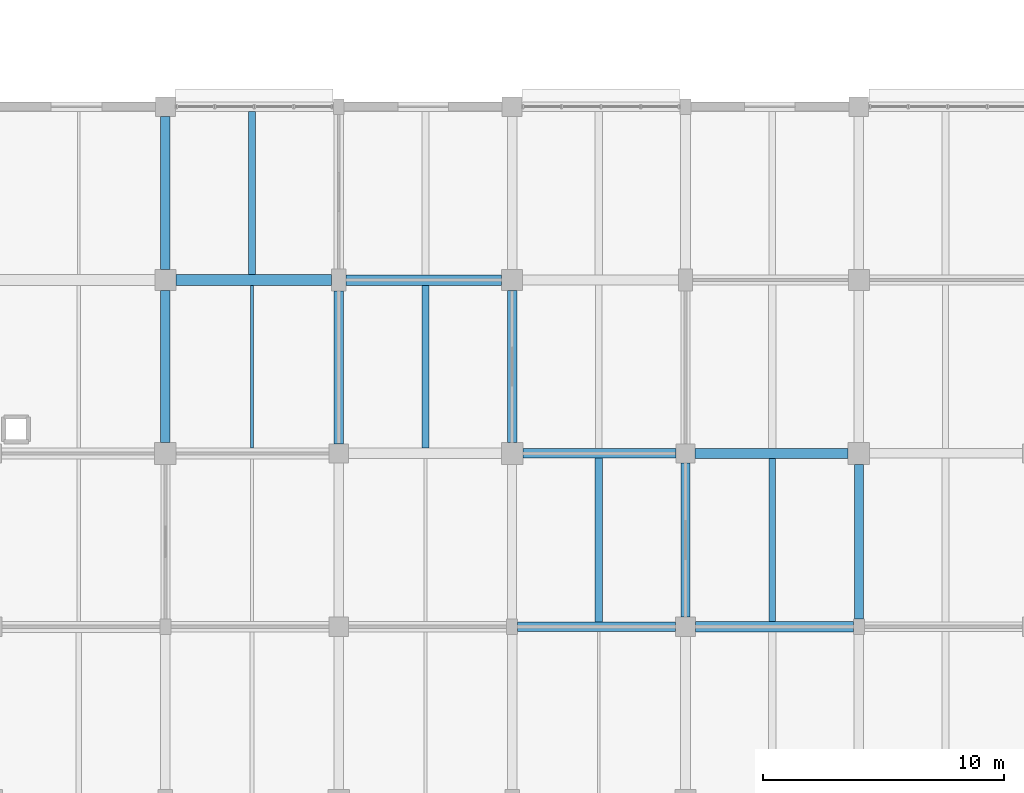
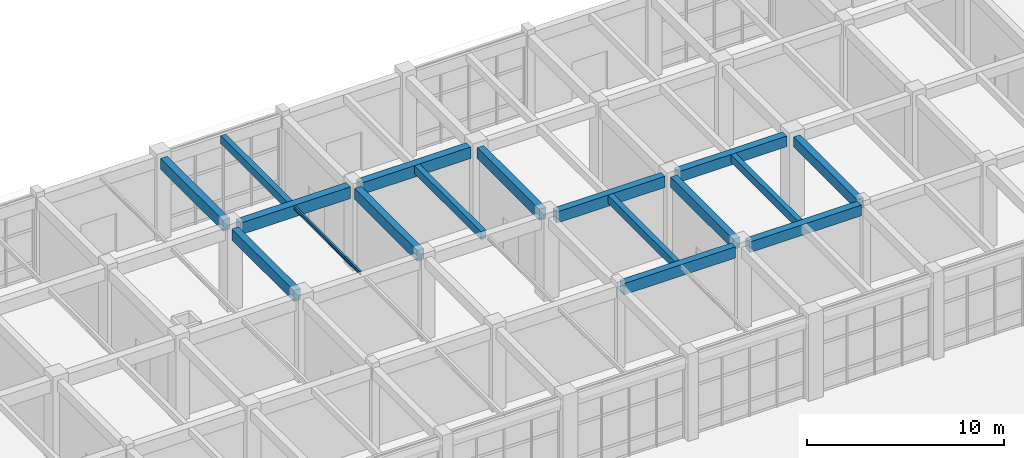
# One storey, part 87 of 160: 17 beams.
"""IFC4 building model written with IfcOpenShell, lengths in metres."""

from ifc_helpers import new_model, si_unit, direction, frame, origin, origin_2d, place, context, subcontext, project, spatial, rectangle, i_section, extrude, material, material_profile, profile_set, type_object, element, save


model = new_model("IFC4")

# Units and contexts
model_context = context("Model", 3, precision=1e-05, world=origin(), true_north=direction((0.0, 1.0)))
body_context = subcontext(model_context, "Body", "Model", "MODEL_VIEW")
ifc_project = project(units=[si_unit("LENGTHUNIT", "METRE"), si_unit("AREAUNIT", "SQUARE_METRE"), si_unit("VOLUMEUNIT", "CUBIC_METRE"), si_unit("PLANEANGLEUNIT", "RADIAN"), si_unit("MASSUNIT", "GRAM", prefix="KILO")], contexts=[model_context])

# Site, building, storey
site_placement = place(None, origin())
site = spatial("IfcSite", under=ifc_project, at=site_placement, CompositionType="ELEMENT")
building_placement = place(site_placement, origin())
building = spatial("IfcBuilding", under=site, at=building_placement, Name="Thalmaran Polytechnic", CompositionType="ELEMENT")
storey_placement = place(building_placement, origin())
storey = spatial("IfcBuildingStorey", under=building, at=storey_placement, Name="L00", CompositionType="ELEMENT", Elevation=0.0)

# Beams
ifc_material_1 = material(Name="Concrete C40/50", Category="concrete")
ifc_material_profile_1 = material_profile(ifc_material_1, rectangle(XDim=0.449951171875, YDim=0.72509765625, at=origin_2d()), Name="RC 450x725")
ifc_profile_set_1 = profile_set([ifc_material_profile_1], Name="Concrete C40/50")
beam_type_1 = type_object("IfcBeamType", Name="BM-RC04", PredefinedType="BEAM", material=ifc_profile_set_1)
beam_1_placement = place(storey_placement, frame((94.0400390625, 115.199951171875, 4.7275390625), z_axis=(1.0, 0.0, 0.0), x_axis=(0.0, 1.0, 0.0)))
element("IfcBeam", 1, at=beam_1_placement, inside=storey, type_object=beam_type_1, Name="Grid Beam B04 L00 X(13,16)", PredefinedType="BEAM", context=body_context, shape_type="SweptSolid", body=[
    extrude(rectangle(XDim=0.449951171875, YDim=0.72509765625, at=origin_2d()), origin(), (0.0, 0.0, 1.0), 6.4599609375),
])
ifc_material_profile_2 = material_profile(ifc_material_1, rectangle(XDim=0.39990234375, YDim=0.699951171875, at=origin_2d()), Name="RC 400x700")
ifc_profile_set_2 = profile_set([ifc_material_profile_2], Name="Concrete C40/50")
beam_type_2 = type_object("IfcBeamType", Name="BM-RC05", PredefinedType="BEAM", material=ifc_profile_set_2)
beam_2_placement = place(storey_placement, frame((108.22509765625, 100.800048828125, 4.739990234375), z_axis=(1.0, 0.0, 0.0), x_axis=(0.0, 1.0, 0.0)))
element("IfcBeam", 2, at=beam_2_placement, inside=storey, type_object=beam_type_2, Name="Grid Beam B05 L00 X(15,14)", PredefinedType="BEAM", context=body_context, shape_type="SweptSolid", body=[
    extrude(rectangle(XDim=0.39990234375, YDim=0.699951171875, at=origin_2d()), origin(), (0.0, 0.0, 1.0), 6.56494140625),
])
beam_3_placement = place(storey_placement, frame((108.449951171875, 108.0, 4.739990234375), z_axis=(1.0, 0.0, 0.0), x_axis=(0.0, 1.0, 0.0)))
element("IfcBeam", 3, at=beam_3_placement, inside=storey, type_object=beam_type_2, Name="Grid Beam B05 L00 X(15,15)", PredefinedType="BEAM", context=body_context, shape_type="SweptSolid", body=[
    extrude(rectangle(XDim=0.39990234375, YDim=0.699951171875, at=origin_2d()), origin(), (0.0, 0.0, 1.0), 6.35009765625),
])
ifc_material_profile_3 = material_profile(ifc_material_1, rectangle(XDim=0.389892578125, YDim=0.68505859375, at=origin_2d()), Name="RC 390x685")
ifc_profile_set_3 = profile_set([ifc_material_profile_3], Name="Concrete C40/50")
beam_type_3 = type_object("IfcBeamType", Name="BM-RC08", PredefinedType="BEAM", material=ifc_profile_set_3)
beam_4_placement = place(storey_placement, frame((93.60009765625, 108.449951171875, 4.74755859375), z_axis=(0.0, 1.0, 0.0), x_axis=(-1.0, 0.0, 0.0)))
element("IfcBeam", 4, at=beam_4_placement, inside=storey, type_object=beam_type_3, Name="Grid Beam B08 L00 Y(13,15)", PredefinedType="BEAM", context=body_context, shape_type="SweptSolid", body=[
    extrude(rectangle(XDim=0.389892578125, YDim=0.68505859375, at=origin_2d()), origin(), (0.0, 0.0, 1.0), 6.31005859375),
])
beam_5_placement = place(storey_placement, frame((100.800048828125, 108.39990234375, 4.74755859375), z_axis=(0.0, 1.0, 0.0), x_axis=(-1.0, 0.0, 0.0)))
element("IfcBeam", 5, at=beam_5_placement, inside=storey, type_object=beam_type_3, Name="Grid Beam B08 L00 Y(14,15)", PredefinedType="BEAM", context=body_context, shape_type="SweptSolid", body=[
    extrude(rectangle(XDim=0.389892578125, YDim=0.68505859375, at=origin_2d()), origin(), (0.0, 0.0, 1.0), 6.35009765625),
])
beam_6_placement = place(storey_placement, frame((108.0, 108.449951171875, 4.74755859375), z_axis=(0.0, 1.0, 0.0), x_axis=(-1.0, 0.0, 0.0)))
element("IfcBeam", 6, at=beam_6_placement, inside=storey, type_object=beam_type_3, Name="Grid Beam B08 L00 Y(15,15)", PredefinedType="BEAM", context=body_context, shape_type="SweptSolid", body=[
    extrude(rectangle(XDim=0.389892578125, YDim=0.68505859375, at=origin_2d()), origin(), (0.0, 0.0, 1.0), 6.31005859375),
])
ifc_material_profile_4 = material_profile(ifc_material_1, rectangle(XDim=0.300048828125, YDim=0.5, at=origin_2d()), Name="RC 300x500")
ifc_profile_set_4 = profile_set([ifc_material_profile_4], Name="Concrete C40/50")
beam_type_4 = type_object("IfcBeamType", Name="BM-RC11", PredefinedType="JOIST", material=ifc_profile_set_4)
beam_7_placement = place(storey_placement, frame((97.199951171875, 115.425048828125, 4.840087890625), z_axis=(0.0, 1.0, 0.0), x_axis=(-1.0, 0.0, 0.0)))
element("IfcBeam", 7, at=beam_7_placement, inside=storey, type_object=beam_type_4, Name="Secondary Floor Rib RB01 L00 (13,16)", PredefinedType="JOIST", context=body_context, shape_type="SweptSolid", body=[
    extrude(rectangle(XDim=0.300048828125, YDim=0.5, at=origin_2d()), origin(), (0.0, 0.0, 1.0), 6.77490234375),
])
beam_8_placement = place(storey_placement, frame((104.39990234375, 108.219970703125, 4.840087890625), z_axis=(0.0, 1.0, 0.0), x_axis=(-1.0, 0.0, 0.0)))
element("IfcBeam", 8, at=beam_8_placement, inside=storey, type_object=beam_type_4, Name="Secondary Floor Rib RB01 L00 (14,15)", PredefinedType="JOIST", context=body_context, shape_type="SweptSolid", body=[
    extrude(rectangle(XDim=0.300048828125, YDim=0.5, at=origin_2d()), origin(), (0.0, 0.0, 1.0), 6.760009765625),
])
beam_9_placement = place(storey_placement, frame((111.60009765625, 101.0, 4.840087890625), z_axis=(0.0, 1.0, 0.0), x_axis=(-1.0, 0.0, 0.0)))
element("IfcBeam", 9, at=beam_9_placement, inside=storey, type_object=beam_type_4, Name="Secondary Floor Rib RB01 L00 (15,14)", PredefinedType="JOIST", context=body_context, shape_type="SweptSolid", body=[
    extrude(rectangle(XDim=0.300048828125, YDim=0.5, at=origin_2d()), origin(), (0.0, 0.0, 1.0), 6.800048828125),
])
ifc_material_2 = material(Name="Steel S355", Category="steel")
ifc_material_profile_5 = material_profile(ifc_material_2, i_section(OverallWidth=0.110107421875, OverallDepth=0.219970703125, WebThickness=0.005859375, FlangeThickness=0.00927734375, at=origin_2d()), Name="IPE 220")
ifc_profile_set_5 = profile_set([ifc_material_profile_5], Name="Steel S355")
beam_type_5 = type_object("IfcBeamType", Name="BM-SJ04", PredefinedType="JOIST", material=ifc_profile_set_5)
beam_10_placement = place(storey_placement, frame((97.199951171875, 108.22509765625, 4.97998046875), z_axis=(0.0, 1.0, 0.0), x_axis=(-1.0, 0.0, 0.0)))
element("IfcBeam", 10, at=beam_10_placement, inside=storey, type_object=beam_type_5, Name="Secondary Floor Rib SJ04 L00 (13,15)", PredefinedType="JOIST", context=body_context, shape_type="SweptSolid", body=[
    extrude(i_section(OverallWidth=0.110107421875, OverallDepth=0.219970703125, WebThickness=0.005859375, FlangeThickness=0.00927734375, at=origin_2d()), origin(), (0.0, 0.0, 1.0), 6.75),
])
ifc_material_profile_6 = material_profile(ifc_material_1, rectangle(XDim=0.43994140625, YDim=0.719970703125, at=origin_2d()), Name="RC 440x720")
ifc_profile_set_6 = profile_set([ifc_material_profile_6], Name="Concrete C40/50")
beam_type_6 = type_object("IfcBeamType", Name="BM-ZB03", PredefinedType="BEAM", material=ifc_profile_set_6)
beam_11_placement = place(storey_placement, frame((101.10009765625, 115.199951171875, 4.72998046875), z_axis=(1.0, 0.0, 0.0), x_axis=(0.0, 1.0, 0.0)))
element("IfcBeam", 11, at=beam_11_placement, inside=storey, type_object=beam_type_6, Name="Grid Beam ZB03 L00 X(14,16)", PredefinedType="BEAM", context=body_context, shape_type="SweptSolid", body=[
    extrude(rectangle(XDim=0.43994140625, YDim=0.719970703125, at=origin_2d()), origin(), (0.0, 0.0, 1.0), 6.4599609375),
])
ifc_material_profile_7 = material_profile(ifc_material_1, rectangle(XDim=0.419921875, YDim=0.659912109375, at=origin_2d()), Name="RC 420x660")
ifc_profile_set_7 = profile_set([ifc_material_profile_7], Name="Concrete C40/50")
beam_type_7 = type_object("IfcBeamType", Name="BM-ZB04", PredefinedType="BEAM", material=ifc_profile_set_7)
beam_12_placement = place(storey_placement, frame((115.610107421875, 100.800048828125, 4.760009765625), z_axis=(1.0, 0.0, 0.0), x_axis=(0.0, 1.0, 0.0)))
element("IfcBeam", 12, at=beam_12_placement, inside=storey, type_object=beam_type_7, Name="Grid Beam ZB04 L00 X(16,14)", PredefinedType="BEAM", context=body_context, shape_type="SweptSolid", body=[
    extrude(rectangle(XDim=0.419921875, YDim=0.659912109375, at=origin_2d()), origin(), (0.0, 0.0, 1.0), 6.56494140625),
])
beam_13_placement = place(storey_placement, frame((115.60009765625, 108.0, 4.760009765625), z_axis=(1.0, 0.0, 0.0), x_axis=(0.0, 1.0, 0.0)))
element("IfcBeam", 13, at=beam_13_placement, inside=storey, type_object=beam_type_7, Name="Grid Beam ZB04 L00 X(16,15)", PredefinedType="BEAM", context=body_context, shape_type="SweptSolid", body=[
    extrude(rectangle(XDim=0.419921875, YDim=0.659912109375, at=origin_2d()), origin(), (0.0, 0.0, 1.0), 6.349853515625),
])
ifc_material_profile_8 = material_profile(ifc_material_1, rectangle(XDim=0.3798828125, YDim=0.635009765625, at=origin_2d()), Name="RC 380x635")
ifc_profile_set_8 = profile_set([ifc_material_profile_8], Name="Concrete C40/50")
beam_type_8 = type_object("IfcBeamType", Name="BM-ZB06", PredefinedType="BEAM", material=ifc_profile_set_8)
beam_14_placement = place(storey_placement, frame((115.199951171875, 101.2099609375, 4.7724609375), z_axis=(0.0, 1.0, 0.0), x_axis=(-1.0, 0.0, 0.0)))
element("IfcBeam", 14, at=beam_14_placement, inside=storey, type_object=beam_type_8, Name="Grid Beam ZB06 L00 Y(16,14)", PredefinedType="BEAM", context=body_context, shape_type="SweptSolid", body=[
    extrude(rectangle(XDim=0.3798828125, YDim=0.635009765625, at=origin_2d()), origin(), (0.0, 0.0, 1.0), 6.39013671875),
])
beam_15_placement = place(storey_placement, frame((122.39990234375, 101.125, 4.7724609375), z_axis=(0.0, 1.0, 0.0), x_axis=(-1.0, 0.0, 0.0)))
element("IfcBeam", 15, at=beam_15_placement, inside=storey, type_object=beam_type_8, Name="Grid Beam ZB06 L00 Y(17,14)", PredefinedType="BEAM", context=body_context, shape_type="SweptSolid", body=[
    extrude(rectangle(XDim=0.3798828125, YDim=0.635009765625, at=origin_2d()), origin(), (0.0, 0.0, 1.0), 6.425048828125),
])
ifc_material_profile_9 = material_profile(ifc_material_1, rectangle(XDim=0.39990234375, YDim=0.68505859375, at=origin_2d()), Name="RC 400x685")
ifc_profile_set_9 = profile_set([ifc_material_profile_9], Name="Concrete C40/50")
beam_type_9 = type_object("IfcBeamType", Name="BM-ZB07", PredefinedType="BEAM", material=ifc_profile_set_9)
beam_16_placement = place(storey_placement, frame((93.60009765625, 115.639892578125, 4.74755859375), z_axis=(0.0, 1.0, 0.0), x_axis=(-1.0, 0.0, 0.0)))
element("IfcBeam", 16, at=beam_16_placement, inside=storey, type_object=beam_type_9, Name="Grid Beam ZB07 L00 Y(13,16)", PredefinedType="BEAM", context=body_context, shape_type="SweptSolid", body=[
    extrude(rectangle(XDim=0.39990234375, YDim=0.68505859375, at=origin_2d()), origin(), (0.0, 0.0, 1.0), 6.35009765625),
])
ifc_material_profile_10 = material_profile(ifc_material_1, rectangle(XDim=0.280029296875, YDim=0.47998046875, at=origin_2d()), Name="RC 280x480")
ifc_profile_set_10 = profile_set([ifc_material_profile_10], Name="Concrete C40/50")
beam_type_10 = type_object("IfcBeamType", Name="BM-ZJ01", PredefinedType="JOIST", material=ifc_profile_set_10)
beam_17_placement = place(storey_placement, frame((118.800048828125, 101.010009765625, 4.85009765625), z_axis=(0.0, 1.0, 0.0), x_axis=(-1.0, 0.0, 0.0)))
element("IfcBeam", 17, at=beam_17_placement, inside=storey, type_object=beam_type_10, Name="Secondary Floor Rib ZJ01 L00 (16,14)", PredefinedType="JOIST", context=body_context, shape_type="SweptSolid", body=[
    extrude(rectangle(XDim=0.280029296875, YDim=0.47998046875, at=origin_2d()), origin(), (0.0, 0.0, 1.0), 6.780029296875),
])

save(model, "model.ifc")
